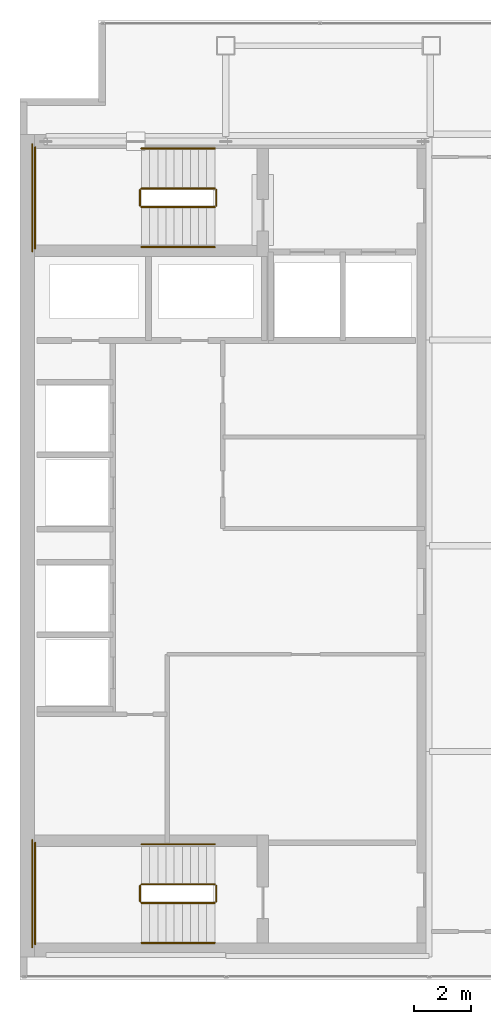
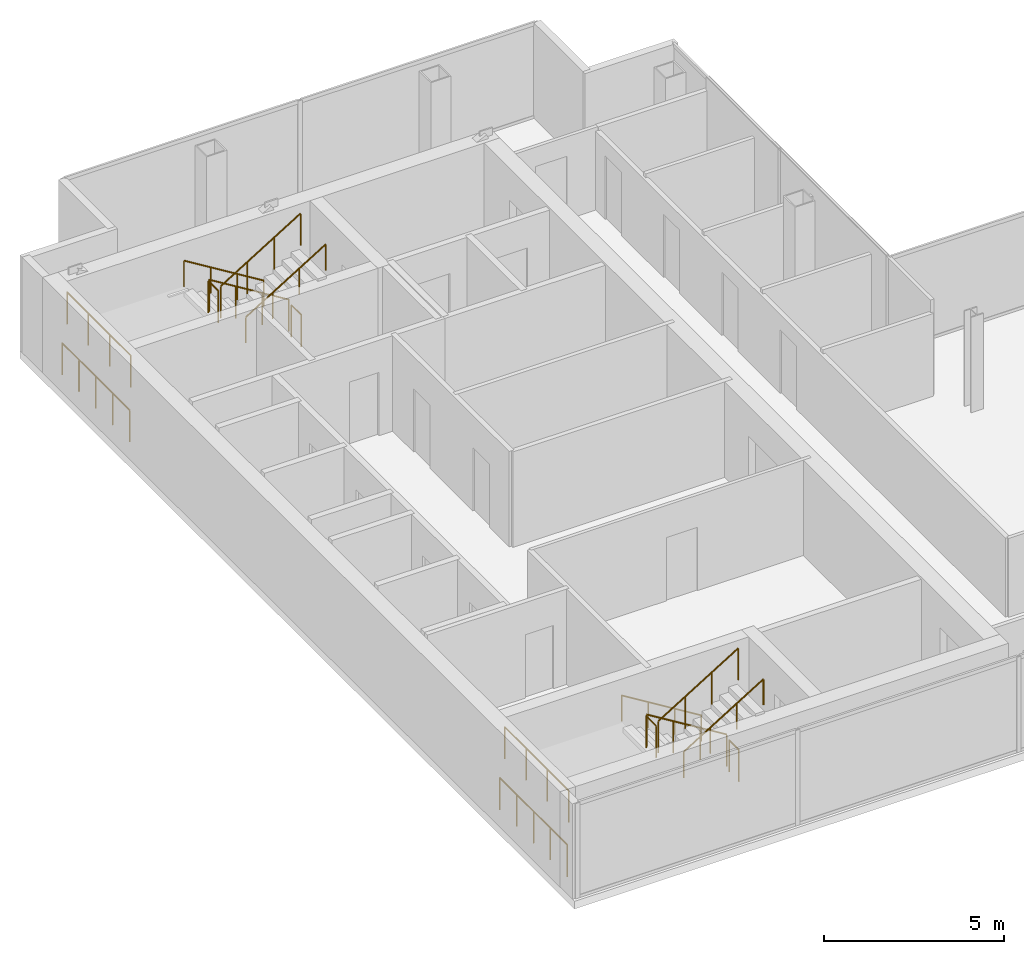
# One storey, part 24 of 24: 16 railings.
"""IFC4 building model written with IfcOpenShell, lengths in metres."""

from ifc_helpers import new_model, si_unit, direction, frame, origin, origin_2d, place, context, subcontext, project, spatial, circle, extrude, material, type_object, element, save


model = new_model("IFC4")

# Units and contexts
model_context = context("Model", 3, precision=1e-05, world=origin(), true_north=direction((0.0, 1.0)))
body_context = subcontext(model_context, "Body", "Model", "MODEL_VIEW")
ifc_project = project(units=[si_unit("LENGTHUNIT", "METRE"), si_unit("AREAUNIT", "SQUARE_METRE"), si_unit("VOLUMEUNIT", "CUBIC_METRE"), si_unit("PLANEANGLEUNIT", "RADIAN"), si_unit("MASSUNIT", "GRAM", prefix="KILO")], contexts=[model_context])

# Site, building, storey
site_placement = place(None, origin())
site = spatial("IfcSite", under=ifc_project, at=site_placement, CompositionType="ELEMENT")
building_placement = place(site_placement, origin())
building = spatial("IfcBuilding", under=site, at=building_placement, Name="Cobrela Telecom Tower", CompositionType="ELEMENT")
storey_placement = place(building_placement, frame((0.0, 0.0, 244.64990234375)))
storey = spatial("IfcBuildingStorey", under=building, at=storey_placement, Name="L63", CompositionType="ELEMENT", Elevation=244.64990234375)

# Railings
ifc_material = material(Name="Steel ASTM A36", Category="steel")
railing_type_1 = type_object("IfcRailingType", Name="RAIL-GUARD-1100", PredefinedType="GUARDRAIL", material=ifc_material)
railing_1_placement = place(storey_placement, frame((6.820068359375, 34.10009765625, 0.175048828125)))
element("IfcRailing", 1, at=railing_1_placement, inside=storey, type_object=railing_type_1, Name="L63 ST1 stair guard 1", PredefinedType="GUARDRAIL", context=body_context, shape_type="SweptSolid", body=[
    extrude(circle(Radius=0.02392578125, at=origin_2d()), frame((0.0, 0.0, 1.076171875), z_axis=(-0.852195335862, 0.0, 0.523223766217), x_axis=(0.0, -1.0, 0.0)), (0.0, 0.0, 1.0), 3.010009765625),
    extrude(circle(Radius=0.02099609375, at=origin_2d()), origin(), (0.0, 0.0, 1.0), 1.052001953125),
    extrude(circle(Radius=0.02099609375, at=origin_2d()), frame((-0.85498046875, 0.0, 0.52490234375)), (0.0, 0.0, 1.0), 1.052001953125),
    extrude(circle(Radius=0.02099609375, at=origin_2d()), frame((-1.710205078125, 0.0, 1.050048828125)), (0.0, 0.0, 1.0), 1.052001953125),
    extrude(circle(Radius=0.02099609375, at=origin_2d()), frame((-2.565185546875, 0.0, 1.574951171875)), (0.0, 0.0, 1.0), 1.052001953125),
])
railing_2_placement = place(storey_placement, frame((4.205078125, 34.050048828125, 1.75)))
element("IfcRailing", 2, at=railing_2_placement, inside=storey, type_object=railing_type_1, Name="L63 ST1 stair guard 2", PredefinedType="GUARDRAIL", context=body_context, shape_type="SweptSolid", body=[
    extrude(circle(Radius=0.02392578125, at=origin_2d()), frame((0.0, 0.0, 1.076171875), z_axis=(0.0, -1.0, 0.0), x_axis=(1.0, 0.0, 0.0)), (0.0, 0.0, 1.0), 0.550048828125),
    extrude(circle(Radius=0.02099609375, at=origin_2d()), origin(), (0.0, 0.0, 1.0), 1.052001953125),
    extrude(circle(Radius=0.02099609375, at=origin_2d()), frame((0.0, -0.550048828125, 0.0)), (0.0, 0.0, 1.0), 1.052001953125),
])
railing_3_placement = place(storey_placement, frame((0.530029296875, 35.550048828125, 1.75)))
element("IfcRailing", 3, at=railing_3_placement, inside=storey, type_object=railing_type_1, Name="L63 ST1 stair guard 3", PredefinedType="GUARDRAIL", context=body_context, shape_type="SweptSolid", body=[
    extrude(circle(Radius=0.02392578125, at=origin_2d()), frame((0.0, 0.0, 1.076171875), z_axis=(0.0, -1.0, 0.0), x_axis=(1.0, 0.0, 0.0)), (0.0, 0.0, 1.0), 3.550048828125),
    extrude(circle(Radius=0.02099609375, at=origin_2d()), origin(), (0.0, 0.0, 1.0), 1.052001953125),
    extrude(circle(Radius=0.02099609375, at=origin_2d()), frame((0.0, -1.183349609375, 0.0)), (0.0, 0.0, 1.0), 1.052001953125),
    extrude(circle(Radius=0.02099609375, at=origin_2d()), frame((0.0, -2.36669921875, 0.0)), (0.0, 0.0, 1.0), 1.052001953125),
    extrude(circle(Radius=0.02099609375, at=origin_2d()), frame((0.0, -3.550048828125, 0.0)), (0.0, 0.0, 1.0), 1.052001953125),
])
railing_4_placement = place(storey_placement, frame((4.2548828125, 33.449951171875, 1.925048828125)))
element("IfcRailing", 4, at=railing_4_placement, inside=storey, type_object=railing_type_1, Name="L63 ST1 stair guard 4", PredefinedType="GUARDRAIL", context=body_context, shape_type="SweptSolid", body=[
    extrude(circle(Radius=0.02392578125, at=origin_2d()), frame((0.0, 0.0, 1.076171875), z_axis=(0.852195335862, 0.0, 0.523223766217), x_axis=(0.0, 1.0, 0.0)), (0.0, 0.0, 1.0), 3.010009765625),
    extrude(circle(Radius=0.02099609375, at=origin_2d()), origin(), (0.0, 0.0, 1.0), 1.052001953125),
    extrude(circle(Radius=0.02099609375, at=origin_2d()), frame((0.85498046875, 0.0, 0.52490234375)), (0.0, 0.0, 1.0), 1.052001953125),
    extrude(circle(Radius=0.02099609375, at=origin_2d()), frame((1.710205078125, 0.0, 1.050048828125)), (0.0, 0.0, 1.0), 1.052001953125),
    extrude(circle(Radius=0.02099609375, at=origin_2d()), frame((2.565185546875, 0.0, 1.574951171875)), (0.0, 0.0, 1.0), 1.052001953125),
])
railing_5_placement = place(storey_placement, frame((6.8701171875, 34.050048828125, 0.0)))
element("IfcRailing", 5, at=railing_5_placement, inside=storey, type_object=railing_type_1, Name="L63 ST1 stair guard 5", PredefinedType="GUARDRAIL", context=body_context, shape_type="SweptSolid", body=[
    extrude(circle(Radius=0.02392578125, at=origin_2d()), frame((0.0, 0.0, 1.076171875), z_axis=(0.0, -1.0, 0.0), x_axis=(1.0, 0.0, 0.0)), (0.0, 0.0, 1.0), 0.550048828125),
    extrude(circle(Radius=0.02099609375, at=origin_2d()), origin(), (0.0, 0.0, 1.0), 1.052001953125),
    extrude(circle(Radius=0.02099609375, at=origin_2d()), frame((0.0, -0.550048828125, 0.0)), (0.0, 0.0, 1.0), 1.052001953125),
])
railing_6_placement = place(storey_placement, frame((0.429931640625, 35.64990234375, 0.0)))
element("IfcRailing", 6, at=railing_6_placement, inside=storey, type_object=railing_type_1, Name="L63 ST1 stair guard 6", PredefinedType="GUARDRAIL", context=body_context, shape_type="SweptSolid", body=[
    extrude(circle(Radius=0.02392578125, at=origin_2d()), frame((0.0, 0.0, 1.076171875), z_axis=(0.0, -1.0, 0.0), x_axis=(1.0, 0.0, 0.0)), (0.0, 0.0, 1.0), 3.75),
    extrude(circle(Radius=0.02099609375, at=origin_2d()), origin(), (0.0, 0.0, 1.0), 1.052001953125),
    extrude(circle(Radius=0.02099609375, at=origin_2d()), frame((0.0, -0.9375, 0.0)), (0.0, 0.0, 1.0), 1.052001953125),
    extrude(circle(Radius=0.02099609375, at=origin_2d()), frame((0.0, -1.875, 0.0)), (0.0, 0.0, 1.0), 1.052001953125),
    extrude(circle(Radius=0.02099609375, at=origin_2d()), frame((0.0, -2.8125, 0.0)), (0.0, 0.0, 1.0), 1.052001953125),
    extrude(circle(Radius=0.02099609375, at=origin_2d()), frame((0.0, -3.75, 0.0)), (0.0, 0.0, 1.0), 1.052001953125),
])
railing_7_placement = place(storey_placement, frame((6.820068359375, 9.75, 0.175048828125)))
element("IfcRailing", 7, at=railing_7_placement, inside=storey, type_object=railing_type_1, Name="L63 ST2 stair guard 1", PredefinedType="GUARDRAIL", context=body_context, shape_type="SweptSolid", body=[
    extrude(circle(Radius=0.02392578125, at=origin_2d()), frame((0.0, 0.0, 1.076171875), z_axis=(-0.852195335862, 0.0, 0.523223766217), x_axis=(0.0, -1.0, 0.0)), (0.0, 0.0, 1.0), 3.010009765625),
    extrude(circle(Radius=0.02099609375, at=origin_2d()), origin(), (0.0, 0.0, 1.0), 1.052001953125),
    extrude(circle(Radius=0.02099609375, at=origin_2d()), frame((-0.85498046875, 0.0, 0.52490234375)), (0.0, 0.0, 1.0), 1.052001953125),
    extrude(circle(Radius=0.02099609375, at=origin_2d()), frame((-1.710205078125, 0.0, 1.050048828125)), (0.0, 0.0, 1.0), 1.052001953125),
    extrude(circle(Radius=0.02099609375, at=origin_2d()), frame((-2.565185546875, 0.0, 1.574951171875)), (0.0, 0.0, 1.0), 1.052001953125),
])
railing_8_placement = place(storey_placement, frame((4.205078125, 9.699951171875, 1.75)))
element("IfcRailing", 8, at=railing_8_placement, inside=storey, type_object=railing_type_1, Name="L63 ST2 stair guard 2", PredefinedType="GUARDRAIL", context=body_context, shape_type="SweptSolid", body=[
    extrude(circle(Radius=0.02392578125, at=origin_2d()), frame((0.0, 0.0, 1.076171875), z_axis=(0.0, -1.0, 0.0), x_axis=(1.0, 0.0, 0.0)), (0.0, 0.0, 1.0), 0.550048828125),
    extrude(circle(Radius=0.02099609375, at=origin_2d()), origin(), (0.0, 0.0, 1.0), 1.052001953125),
    extrude(circle(Radius=0.02099609375, at=origin_2d()), frame((0.0, -0.550048828125, 0.0)), (0.0, 0.0, 1.0), 1.052001953125),
])
railing_9_placement = place(storey_placement, frame((0.530029296875, 11.199951171875, 1.75)))
element("IfcRailing", 9, at=railing_9_placement, inside=storey, type_object=railing_type_1, Name="L63 ST2 stair guard 3", PredefinedType="GUARDRAIL", context=body_context, shape_type="SweptSolid", body=[
    extrude(circle(Radius=0.02392578125, at=origin_2d()), frame((0.0, 0.0, 1.076171875), z_axis=(0.0, -1.0, 0.0), x_axis=(1.0, 0.0, 0.0)), (0.0, 0.0, 1.0), 3.550048828125),
    extrude(circle(Radius=0.02099609375, at=origin_2d()), origin(), (0.0, 0.0, 1.0), 1.052001953125),
    extrude(circle(Radius=0.02099609375, at=origin_2d()), frame((0.0, -1.183349609375, 0.0)), (0.0, 0.0, 1.0), 1.052001953125),
    extrude(circle(Radius=0.02099609375, at=origin_2d()), frame((0.0, -2.36669921875, 0.0)), (0.0, 0.0, 1.0), 1.052001953125),
    extrude(circle(Radius=0.02099609375, at=origin_2d()), frame((0.0, -3.550048828125, 0.0)), (0.0, 0.0, 1.0), 1.052001953125),
])
railing_10_placement = place(storey_placement, frame((4.2548828125, 9.10009765625, 1.925048828125)))
element("IfcRailing", 10, at=railing_10_placement, inside=storey, type_object=railing_type_1, Name="L63 ST2 stair guard 4", PredefinedType="GUARDRAIL", context=body_context, shape_type="SweptSolid", body=[
    extrude(circle(Radius=0.02392578125, at=origin_2d()), frame((0.0, 0.0, 1.076171875), z_axis=(0.852195335862, 0.0, 0.523223766217), x_axis=(0.0, 1.0, 0.0)), (0.0, 0.0, 1.0), 3.010009765625),
    extrude(circle(Radius=0.02099609375, at=origin_2d()), origin(), (0.0, 0.0, 1.0), 1.052001953125),
    extrude(circle(Radius=0.02099609375, at=origin_2d()), frame((0.85498046875, 0.0, 0.52490234375)), (0.0, 0.0, 1.0), 1.052001953125),
    extrude(circle(Radius=0.02099609375, at=origin_2d()), frame((1.710205078125, 0.0, 1.050048828125)), (0.0, 0.0, 1.0), 1.052001953125),
    extrude(circle(Radius=0.02099609375, at=origin_2d()), frame((2.565185546875, 0.0, 1.574951171875)), (0.0, 0.0, 1.0), 1.052001953125),
])
railing_11_placement = place(storey_placement, frame((6.8701171875, 9.699951171875, 0.0)))
element("IfcRailing", 11, at=railing_11_placement, inside=storey, type_object=railing_type_1, Name="L63 ST2 stair guard 5", PredefinedType="GUARDRAIL", context=body_context, shape_type="SweptSolid", body=[
    extrude(circle(Radius=0.02392578125, at=origin_2d()), frame((0.0, 0.0, 1.076171875), z_axis=(0.0, -1.0, 0.0), x_axis=(1.0, 0.0, 0.0)), (0.0, 0.0, 1.0), 0.550048828125),
    extrude(circle(Radius=0.02099609375, at=origin_2d()), origin(), (0.0, 0.0, 1.0), 1.052001953125),
    extrude(circle(Radius=0.02099609375, at=origin_2d()), frame((0.0, -0.550048828125, 0.0)), (0.0, 0.0, 1.0), 1.052001953125),
])
railing_12_placement = place(storey_placement, frame((0.429931640625, 11.300048828125, 0.0)))
element("IfcRailing", 12, at=railing_12_placement, inside=storey, type_object=railing_type_1, Name="L63 ST2 stair guard 6", PredefinedType="GUARDRAIL", context=body_context, shape_type="SweptSolid", body=[
    extrude(circle(Radius=0.02392578125, at=origin_2d()), frame((0.0, 0.0, 1.076171875), z_axis=(0.0, -1.0, 0.0), x_axis=(1.0, 0.0, 0.0)), (0.0, 0.0, 1.0), 3.75),
    extrude(circle(Radius=0.02099609375, at=origin_2d()), origin(), (0.0, 0.0, 1.0), 1.052001953125),
    extrude(circle(Radius=0.02099609375, at=origin_2d()), frame((0.0, -0.9375, 0.0)), (0.0, 0.0, 1.0), 1.052001953125),
    extrude(circle(Radius=0.02099609375, at=origin_2d()), frame((0.0, -1.875, 0.0)), (0.0, 0.0, 1.0), 1.052001953125),
    extrude(circle(Radius=0.02099609375, at=origin_2d()), frame((0.0, -2.8125, 0.0)), (0.0, 0.0, 1.0), 1.052001953125),
    extrude(circle(Radius=0.02099609375, at=origin_2d()), frame((0.0, -3.75, 0.0)), (0.0, 0.0, 1.0), 1.052001953125),
])
railing_type_2 = type_object("IfcRailingType", Name="RAIL-HAND-920", PredefinedType="HANDRAIL", material=ifc_material)
railing_13_placement = place(storey_placement, frame((6.820068359375, 35.5, 0.175048828125)))
element("IfcRailing", 13, at=railing_13_placement, inside=storey, type_object=railing_type_2, Name="L63 ST1 stair handrail 1", PredefinedType="HANDRAIL", context=body_context, shape_type="SweptSolid", body=[
    extrude(circle(Radius=0.02392578125, at=origin_2d()), frame((0.0, 0.0, 0.8759765625), z_axis=(-0.852195335862, 0.0, 0.523223766217), x_axis=(0.0, -1.0, 0.0)), (0.0, 0.0, 1.0), 3.010009765625),
    extrude(circle(Radius=0.02099609375, at=origin_2d()), origin(), (0.0, 0.0, 1.0), 0.851806640625),
    extrude(circle(Radius=0.02099609375, at=origin_2d()), frame((-0.85498046875, 0.0, 0.52490234375)), (0.0, 0.0, 1.0), 0.851806640625),
    extrude(circle(Radius=0.02099609375, at=origin_2d()), frame((-1.710205078125, 0.0, 1.050048828125)), (0.0, 0.0, 1.0), 0.851806640625),
    extrude(circle(Radius=0.02099609375, at=origin_2d()), frame((-2.565185546875, 0.0, 1.574951171875)), (0.0, 0.0, 1.0), 0.851806640625),
])
railing_14_placement = place(storey_placement, frame((4.2548828125, 32.050048828125, 1.925048828125)))
element("IfcRailing", 14, at=railing_14_placement, inside=storey, type_object=railing_type_2, Name="L63 ST1 stair handrail 2", PredefinedType="HANDRAIL", context=body_context, shape_type="SweptSolid", body=[
    extrude(circle(Radius=0.02392578125, at=origin_2d()), frame((0.0, 0.0, 0.8759765625), z_axis=(0.852195335862, 0.0, 0.523223766217), x_axis=(0.0, 1.0, 0.0)), (0.0, 0.0, 1.0), 3.010009765625),
    extrude(circle(Radius=0.02099609375, at=origin_2d()), origin(), (0.0, 0.0, 1.0), 0.851806640625),
    extrude(circle(Radius=0.02099609375, at=origin_2d()), frame((0.85498046875, 0.0, 0.52490234375)), (0.0, 0.0, 1.0), 0.851806640625),
    extrude(circle(Radius=0.02099609375, at=origin_2d()), frame((1.710205078125, 0.0, 1.050048828125)), (0.0, 0.0, 1.0), 0.851806640625),
    extrude(circle(Radius=0.02099609375, at=origin_2d()), frame((2.565185546875, 0.0, 1.574951171875)), (0.0, 0.0, 1.0), 0.851806640625),
])
railing_15_placement = place(storey_placement, frame((6.820068359375, 11.14990234375, 0.175048828125)))
element("IfcRailing", 15, at=railing_15_placement, inside=storey, type_object=railing_type_2, Name="L63 ST2 stair handrail 1", PredefinedType="HANDRAIL", context=body_context, shape_type="SweptSolid", body=[
    extrude(circle(Radius=0.02392578125, at=origin_2d()), frame((0.0, 0.0, 0.8759765625), z_axis=(-0.852195335862, 0.0, 0.523223766217), x_axis=(0.0, -1.0, 0.0)), (0.0, 0.0, 1.0), 3.010009765625),
    extrude(circle(Radius=0.02099609375, at=origin_2d()), origin(), (0.0, 0.0, 1.0), 0.851806640625),
    extrude(circle(Radius=0.02099609375, at=origin_2d()), frame((-0.85498046875, 0.0, 0.52490234375)), (0.0, 0.0, 1.0), 0.851806640625),
    extrude(circle(Radius=0.02099609375, at=origin_2d()), frame((-1.710205078125, 0.0, 1.050048828125)), (0.0, 0.0, 1.0), 0.851806640625),
    extrude(circle(Radius=0.02099609375, at=origin_2d()), frame((-2.565185546875, 0.0, 1.574951171875)), (0.0, 0.0, 1.0), 0.851806640625),
])
railing_16_placement = place(storey_placement, frame((4.2548828125, 7.699951171875, 1.925048828125)))
element("IfcRailing", 16, at=railing_16_placement, inside=storey, type_object=railing_type_2, Name="L63 ST2 stair handrail 2", PredefinedType="HANDRAIL", context=body_context, shape_type="SweptSolid", body=[
    extrude(circle(Radius=0.02392578125, at=origin_2d()), frame((0.0, 0.0, 0.8759765625), z_axis=(0.852195335862, 0.0, 0.523223766217), x_axis=(0.0, 1.0, 0.0)), (0.0, 0.0, 1.0), 3.010009765625),
    extrude(circle(Radius=0.02099609375, at=origin_2d()), origin(), (0.0, 0.0, 1.0), 0.851806640625),
    extrude(circle(Radius=0.02099609375, at=origin_2d()), frame((0.85498046875, 0.0, 0.52490234375)), (0.0, 0.0, 1.0), 0.851806640625),
    extrude(circle(Radius=0.02099609375, at=origin_2d()), frame((1.710205078125, 0.0, 1.050048828125)), (0.0, 0.0, 1.0), 0.851806640625),
    extrude(circle(Radius=0.02099609375, at=origin_2d()), frame((2.565185546875, 0.0, 1.574951171875)), (0.0, 0.0, 1.0), 0.851806640625),
])

save(model, "model.ifc")
